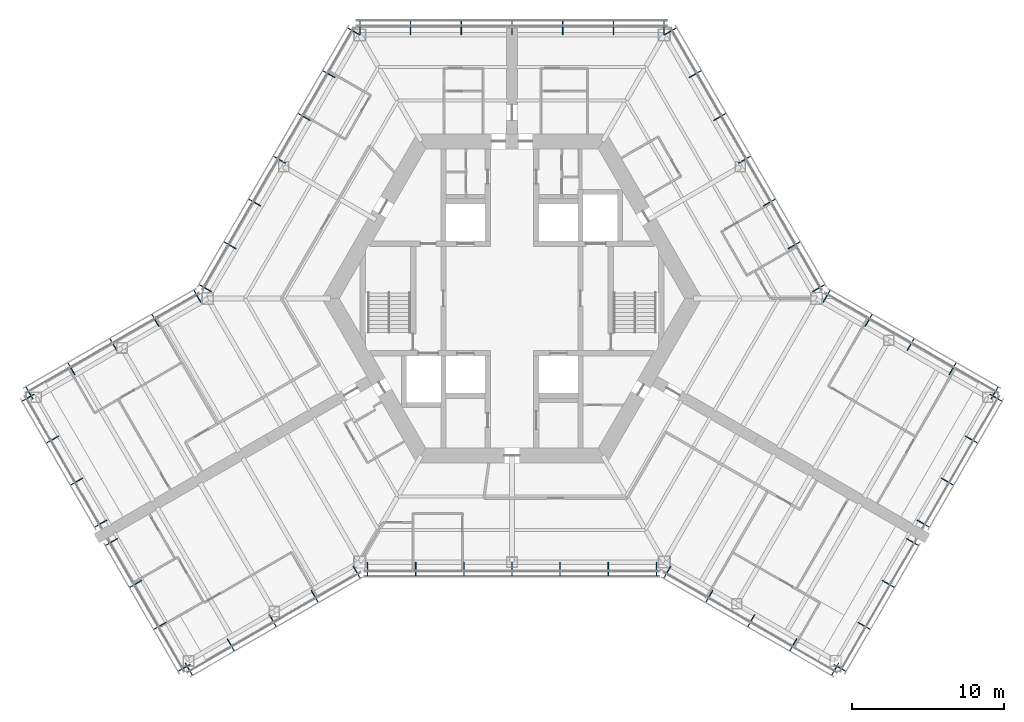
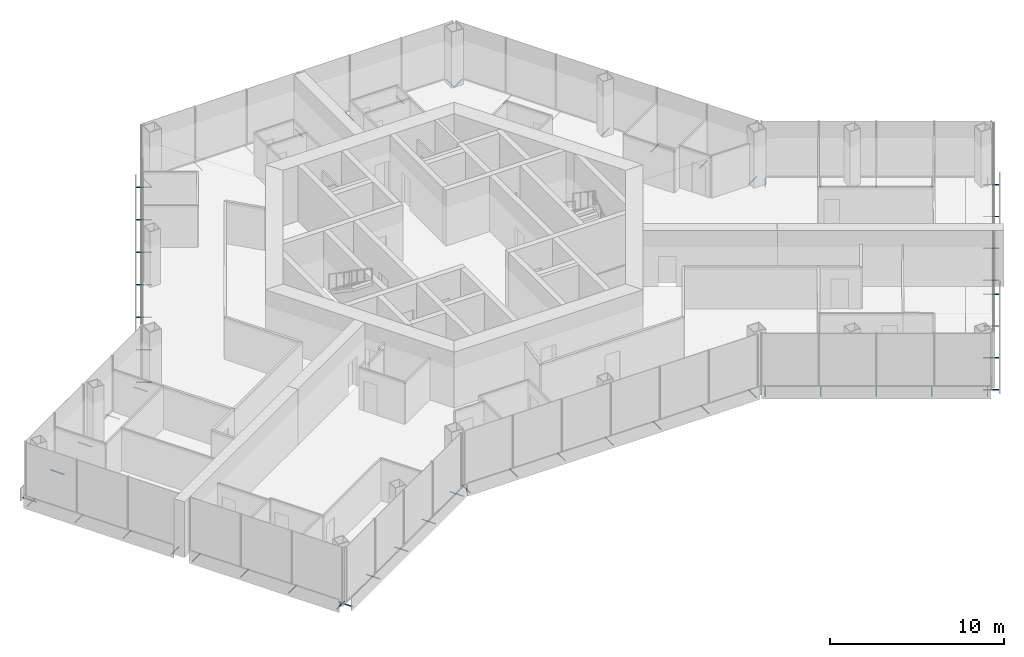
# One storey, part 16 of 18: 64 discrete accessories.
"""IFC4 building model written with IfcOpenShell, lengths in metres."""

from ifc_helpers import new_model, si_unit, direction, frame, origin, origin_2d, place, context, subcontext, project, spatial, hollow_circle, extrude, material, material_profile, profile_set, type_object, element, save


model = new_model("IFC4")

# Units and contexts
model_context = context("Model", 3, precision=1e-05, world=origin(), true_north=direction((0.0, 1.0)))
body_context = subcontext(model_context, "Body", "Model", "MODEL_VIEW")
ifc_project = project(units=[si_unit("LENGTHUNIT", "METRE"), si_unit("AREAUNIT", "SQUARE_METRE"), si_unit("VOLUMEUNIT", "CUBIC_METRE"), si_unit("PLANEANGLEUNIT", "RADIAN"), si_unit("MASSUNIT", "GRAM", prefix="KILO")], contexts=[model_context])

# Site, building, storey
site_placement = place(None, origin())
site = spatial("IfcSite", under=ifc_project, at=site_placement, CompositionType="ELEMENT")
building_placement = place(site_placement, origin())
building = spatial("IfcBuilding", under=site, at=building_placement, Name="Kasaneha Research Tower", CompositionType="ELEMENT")
storey_placement = place(building_placement, frame((0.0, 0.0, 195.5)))
storey = spatial("IfcBuildingStorey", under=building, at=storey_placement, Name="L49", CompositionType="ELEMENT", Elevation=195.5)

# Discrete accessories
ifc_material = material(Name="Steel STK400", Category="steel")
ifc_material_profile = material_profile(ifc_material, hollow_circle(Radius=0.0380859375, WallThickness=0.00390625, at=origin_2d()), Name="CHS-76.3x4.0")
ifc_profile_set = profile_set([ifc_material_profile], Name="Steel STK400")
discrete_accessory_type = type_object("IfcDiscreteAccessoryType", Name="Screen bracket CHS-76.3x4.0", PredefinedType="BRACKET", material=ifc_profile_set)
for number, where, z_axis, x_axis, name in (
    (1, (-9.4892578125, -17.320556640625, -0.300048828125), (0.0, -1.0, 0.0), (1.0, 0.0, 0.0), "Screen bracket 1"),
    (2, (-6.326171875, -17.320556640625, -0.300048828125), (0.0, -1.0, 0.0), (1.0, 0.0, 0.0), "Screen bracket 2"),
    (3, (-3.1630859375, -17.320556640625, -0.300048828125), (0.0, -1.0, 0.0), (1.0, 0.0, 0.0), "Screen bracket 3"),
    (4, (0.0, -17.320556640625, -0.300048828125), (0.0, -1.0, 0.0), (1.0, 0.0, 0.0), "Screen bracket 4"),
    (5, (3.1630859375, -17.320556640625, -0.300048828125), (0.0, -1.0, 0.0), (1.0, 0.0, 0.0), "Screen bracket 5"),
    (6, (6.326171875, -17.320556640625, -0.300048828125), (0.0, -1.0, 0.0), (1.0, 0.0, 0.0), "Screen bracket 6"),
    (7, (9.4892578125, -17.320556640625, -0.300048828125), (0.0, -1.0, 0.0), (1.0, 0.0, 0.0), "Screen bracket 7"),
    (8, (10.4423828125, -17.575927734375, -0.300048828125), (-0.500021113727, -0.866013213425, 0.0), (0.866013213425, -0.500021113727, 0.0), "Screen bracket 1"),
):
    element("IfcDiscreteAccessory", number, at=place(storey_placement, frame(where, z_axis=z_axis, x_axis=x_axis)), inside=storey, type_object=discrete_accessory_type, Name=name, PredefinedType="BRACKET", context=body_context, shape_type="SweptSolid", body=[
        extrude(hollow_circle(Radius=0.0380859375, WallThickness=0.00390625, at=origin_2d()), origin(), (0.0, 0.0, 1.0), 0.919921875),
    ])
discrete_accessory_1_placement = place(storey_placement, frame((13.200439453125, -19.168212890625, -0.300048828125), z_axis=(-0.499906209203, -0.866079547155, 0.0), x_axis=(0.866079547155, -0.499906209203, 0.0)))
element("IfcDiscreteAccessory", 9, at=discrete_accessory_1_placement, inside=storey, type_object=discrete_accessory_type, Name="Screen bracket 2", PredefinedType="BRACKET", context=body_context, shape_type="SweptSolid", body=[
    extrude(hollow_circle(Radius=0.0380859375, WallThickness=0.00390625, at=origin_2d()), origin(), (0.0, 0.0, 1.0), 0.920166015625),
])
discrete_accessory_2_placement = place(storey_placement, frame((15.95849609375, -20.7607421875, -0.300048828125), z_axis=(-0.500021113727, -0.866013213425, 0.0), x_axis=(0.866013213425, -0.500021113727, 0.0)))
element("IfcDiscreteAccessory", 10, at=discrete_accessory_2_placement, inside=storey, type_object=discrete_accessory_type, Name="Screen bracket 3", PredefinedType="BRACKET", context=body_context, shape_type="SweptSolid", body=[
    extrude(hollow_circle(Radius=0.0380859375, WallThickness=0.00390625, at=origin_2d()), origin(), (0.0, 0.0, 1.0), 0.919921875),
])
discrete_accessory_3_placement = place(storey_placement, frame((18.716796875, -22.35302734375, -0.300048828125), z_axis=(-0.500105201737, -0.865964657013, 0.0), x_axis=(0.865964657013, -0.500105201737, 0.0)))
element("IfcDiscreteAccessory", 11, at=discrete_accessory_3_placement, inside=storey, type_object=discrete_accessory_type, Name="Screen bracket 4", PredefinedType="BRACKET", context=body_context, shape_type="SweptSolid", body=[
    extrude(hollow_circle(Radius=0.0380859375, WallThickness=0.00390625, at=origin_2d()), origin(), (0.0, 0.0, 1.0), 0.920166015625),
])
discrete_accessory_4_placement = place(storey_placement, frame((21.474853515625, -23.945556640625, -0.300048828125), z_axis=(-0.500021113727, -0.866013213425, 0.0), x_axis=(0.866013213425, -0.500021113727, 0.0)))
element("IfcDiscreteAccessory", 12, at=discrete_accessory_4_placement, inside=storey, type_object=discrete_accessory_type, Name="Screen bracket 5", PredefinedType="BRACKET", context=body_context, shape_type="SweptSolid", body=[
    extrude(hollow_circle(Radius=0.0380859375, WallThickness=0.00390625, at=origin_2d()), origin(), (0.0, 0.0, 1.0), 0.919921875),
])
discrete_accessory_5_placement = place(storey_placement, frame((21.13330078125, -24.037109375, -0.300048828125), z_axis=(0.866079547155, -0.499906209203, 0.0), x_axis=(0.499906209203, 0.866079547155, 0.0)))
element("IfcDiscreteAccessory", 13, at=discrete_accessory_5_placement, inside=storey, type_object=discrete_accessory_type, Name="Screen bracket 1", PredefinedType="BRACKET", context=body_context, shape_type="SweptSolid", body=[
    extrude(hollow_circle(Radius=0.0380859375, WallThickness=0.00390625, at=origin_2d()), origin(), (0.0, 0.0, 1.0), 0.920166015625),
])
discrete_accessory_6_placement = place(storey_placement, frame((22.72509765625, -21.2802734375, -0.300048828125), z_axis=(0.866013213425, -0.500021113727, 0.0), x_axis=(0.500021113727, 0.866013213425, 0.0)))
element("IfcDiscreteAccessory", 14, at=discrete_accessory_6_placement, inside=storey, type_object=discrete_accessory_type, Name="Screen bracket 2", PredefinedType="BRACKET", context=body_context, shape_type="SweptSolid", body=[
    extrude(hollow_circle(Radius=0.0380859375, WallThickness=0.00390625, at=origin_2d()), origin(), (0.0, 0.0, 1.0), 0.919921875),
])
discrete_accessory_7_placement = place(storey_placement, frame((24.316650390625, -18.5234375, -0.300048828125), z_axis=(0.866079547155, -0.499906209203, 0.0), x_axis=(0.499906209203, 0.866079547155, 0.0)))
element("IfcDiscreteAccessory", 15, at=discrete_accessory_7_placement, inside=storey, type_object=discrete_accessory_type, Name="Screen bracket 3", PredefinedType="BRACKET", context=body_context, shape_type="SweptSolid", body=[
    extrude(hollow_circle(Radius=0.0380859375, WallThickness=0.00390625, at=origin_2d()), origin(), (0.0, 0.0, 1.0), 0.920166015625),
])
for number, where, z_axis, x_axis, name in (
    (16, (25.908447265625, -15.766357421875, -0.300048828125), (0.865898279276, -0.500220121494, 0.0), (0.500220121494, 0.865898279276, 0.0), "Screen bracket 4"),
    (17, (26.6083984375, -14.553955078125, -0.300048828125), (0.866013213425, -0.500021113727, 0.0), (0.500021113727, 0.866013213425, 0.0), "Screen bracket 1"),
):
    element("IfcDiscreteAccessory", number, at=place(storey_placement, frame(where, z_axis=z_axis, x_axis=x_axis)), inside=storey, type_object=discrete_accessory_type, Name=name, PredefinedType="BRACKET", context=body_context, shape_type="SweptSolid", body=[
        extrude(hollow_circle(Radius=0.0380859375, WallThickness=0.00390625, at=origin_2d()), origin(), (0.0, 0.0, 1.0), 0.919921875),
    ])
discrete_accessory_8_placement = place(storey_placement, frame((28.199951171875, -11.797119140625, -0.300048828125), z_axis=(0.866079547155, -0.499906209203, 0.0), x_axis=(0.499906209203, 0.866079547155, 0.0)))
element("IfcDiscreteAccessory", 18, at=discrete_accessory_8_placement, inside=storey, type_object=discrete_accessory_type, Name="Screen bracket 2", PredefinedType="BRACKET", context=body_context, shape_type="SweptSolid", body=[
    extrude(hollow_circle(Radius=0.0380859375, WallThickness=0.00390625, at=origin_2d()), origin(), (0.0, 0.0, 1.0), 0.920166015625),
])
discrete_accessory_9_placement = place(storey_placement, frame((29.791748046875, -9.040283203125, -0.300048828125), z_axis=(0.866013213425, -0.500021113727, 0.0), x_axis=(0.500021113727, 0.866013213425, 0.0)))
element("IfcDiscreteAccessory", 19, at=discrete_accessory_9_placement, inside=storey, type_object=discrete_accessory_type, Name="Screen bracket 3", PredefinedType="BRACKET", context=body_context, shape_type="SweptSolid", body=[
    extrude(hollow_circle(Radius=0.0380859375, WallThickness=0.00390625, at=origin_2d()), origin(), (0.0, 0.0, 1.0), 0.919921875),
])
discrete_accessory_10_placement = place(storey_placement, frame((31.38330078125, -6.283447265625, -0.300048828125), z_axis=(0.866079547155, -0.499906209203, 0.0), x_axis=(0.499906209203, 0.866079547155, 0.0)))
element("IfcDiscreteAccessory", 20, at=discrete_accessory_10_placement, inside=storey, type_object=discrete_accessory_type, Name="Screen bracket 4", PredefinedType="BRACKET", context=body_context, shape_type="SweptSolid", body=[
    extrude(hollow_circle(Radius=0.0380859375, WallThickness=0.00390625, at=origin_2d()), origin(), (0.0, 0.0, 1.0), 0.920166015625),
])
discrete_accessory_11_placement = place(storey_placement, frame((31.474853515625, -6.625, -0.300048828125), z_axis=(0.500021113727, 0.866013213425, 0.0), x_axis=(-0.866013213425, 0.500021113727, 0.0)))
element("IfcDiscreteAccessory", 21, at=discrete_accessory_11_placement, inside=storey, type_object=discrete_accessory_type, Name="Screen bracket 1", PredefinedType="BRACKET", context=body_context, shape_type="SweptSolid", body=[
    extrude(hollow_circle(Radius=0.0380859375, WallThickness=0.00390625, at=origin_2d()), origin(), (0.0, 0.0, 1.0), 0.919921875),
])
discrete_accessory_12_placement = place(storey_placement, frame((28.716796875, -5.03271484375, -0.300048828125), z_axis=(0.499906209203, 0.866079547155, 0.0), x_axis=(-0.866079547155, 0.499906209203, 0.0)))
element("IfcDiscreteAccessory", 22, at=discrete_accessory_12_placement, inside=storey, type_object=discrete_accessory_type, Name="Screen bracket 2", PredefinedType="BRACKET", context=body_context, shape_type="SweptSolid", body=[
    extrude(hollow_circle(Radius=0.0380859375, WallThickness=0.00390625, at=origin_2d()), origin(), (0.0, 0.0, 1.0), 0.920166015625),
])
discrete_accessory_13_placement = place(storey_placement, frame((25.95849609375, -3.440185546875, -0.300048828125), z_axis=(0.500220121494, 0.865898279276, 0.0), x_axis=(-0.865898279276, 0.500220121494, 0.0)))
element("IfcDiscreteAccessory", 23, at=discrete_accessory_13_placement, inside=storey, type_object=discrete_accessory_type, Name="Screen bracket 3", PredefinedType="BRACKET", context=body_context, shape_type="SweptSolid", body=[
    extrude(hollow_circle(Radius=0.0380859375, WallThickness=0.00390625, at=origin_2d()), origin(), (0.0, 0.0, 1.0), 0.919921875),
])
discrete_accessory_14_placement = place(storey_placement, frame((23.200439453125, -1.847900390625, -0.300048828125), z_axis=(0.499906209203, 0.866079547155, 0.0), x_axis=(-0.866079547155, 0.499906209203, 0.0)))
element("IfcDiscreteAccessory", 24, at=discrete_accessory_14_placement, inside=storey, type_object=discrete_accessory_type, Name="Screen bracket 4", PredefinedType="BRACKET", context=body_context, shape_type="SweptSolid", body=[
    extrude(hollow_circle(Radius=0.0380859375, WallThickness=0.00390625, at=origin_2d()), origin(), (0.0, 0.0, 1.0), 0.920166015625),
])
for number, where, z_axis, x_axis, name in (
    (25, (20.4423828125, -0.25537109375, -0.300048828125), (0.500021113727, 0.866013213425, 0.0), (-0.866013213425, 0.500021113727, 0.0), "Screen bracket 5"),
    (26, (19.74462890625, 0.4423828125, -0.300048828125), (0.866013213425, 0.500021113727, 0.0), (-0.500021113727, 0.866013213425, 0.0), "Screen bracket 1"),
    (27, (18.120849609375, 3.2548828125, -0.300048828125), (0.866013213425, 0.500021113727, 0.0), (-0.500021113727, 0.866013213425, 0.0), "Screen bracket 2"),
    (28, (16.4970703125, 6.0673828125, -0.300048828125), (0.866013213425, 0.500021113727, 0.0), (-0.500021113727, 0.866013213425, 0.0), "Screen bracket 3"),
    (29, (14.873291015625, 8.8798828125, -0.300048828125), (0.866013213425, 0.500021113727, 0.0), (-0.500021113727, 0.866013213425, 0.0), "Screen bracket 4"),
    (30, (13.24951171875, 11.6923828125, -0.300048828125), (0.866013213425, 0.500021113727, 0.0), (-0.500021113727, 0.866013213425, 0.0), "Screen bracket 5"),
):
    element("IfcDiscreteAccessory", number, at=place(storey_placement, frame(where, z_axis=z_axis, x_axis=x_axis)), inside=storey, type_object=discrete_accessory_type, Name=name, PredefinedType="BRACKET", context=body_context, shape_type="SweptSolid", body=[
        extrude(hollow_circle(Radius=0.0380859375, WallThickness=0.00390625, at=origin_2d()), origin(), (0.0, 0.0, 1.0), 0.919921875),
    ])
for number, where, z_axis, x_axis, name in (
    (31, (11.62548828125, 14.5048828125, -0.300048828125), (0.866079547155, 0.499906209203, 0.0), (-0.499906209203, 0.866079547155, 0.0), "Screen bracket 6"),
    (32, (10.001708984375, 17.3173828125, -0.300048828125), (0.866079547155, 0.499906209203, 0.0), (-0.499906209203, 0.866079547155, 0.0), "Screen bracket 7"),
):
    element("IfcDiscreteAccessory", number, at=place(storey_placement, frame(where, z_axis=z_axis, x_axis=x_axis)), inside=storey, type_object=discrete_accessory_type, Name=name, PredefinedType="BRACKET", context=body_context, shape_type="SweptSolid", body=[
        extrude(hollow_circle(Radius=0.0380859375, WallThickness=0.00390625, at=origin_2d()), origin(), (0.0, 0.0, 1.0), 0.920166015625),
    ])
for number, where, z_axis, x_axis, name in (
    (33, (9.996337890625, 17.320556640625, -0.300048828125), (0.0, 1.0, 0.0), (-1.0, 0.0, 0.0), "Screen bracket 1"),
    (34, (6.664306640625, 17.320556640625, -0.300048828125), (0.0, 1.0, 0.0), (-1.0, 0.0, 0.0), "Screen bracket 2"),
    (35, (3.33203125, 17.320556640625, -0.300048828125), (0.0, 1.0, 0.0), (-1.0, 0.0, 0.0), "Screen bracket 3"),
    (36, (0.0, 17.320556640625, -0.300048828125), (0.0, 1.0, 0.0), (-1.0, 0.0, 0.0), "Screen bracket 4"),
    (37, (-3.33203125, 17.320556640625, -0.300048828125), (0.0, 1.0, 0.0), (-1.0, 0.0, 0.0), "Screen bracket 5"),
    (38, (-6.664306640625, 17.320556640625, -0.300048828125), (0.0, 1.0, 0.0), (-1.0, 0.0, 0.0), "Screen bracket 6"),
    (39, (-9.996337890625, 17.320556640625, -0.300048828125), (0.0, 1.0, 0.0), (-1.0, 0.0, 0.0), "Screen bracket 7"),
):
    element("IfcDiscreteAccessory", number, at=place(storey_placement, frame(where, z_axis=z_axis, x_axis=x_axis)), inside=storey, type_object=discrete_accessory_type, Name=name, PredefinedType="BRACKET", context=body_context, shape_type="SweptSolid", body=[
        extrude(hollow_circle(Radius=0.0380859375, WallThickness=0.00390625, at=origin_2d()), origin(), (0.0, 0.0, 1.0), 0.919921875),
    ])
for number, where, z_axis, x_axis, name in (
    (40, (-10.001708984375, 17.3173828125, -0.300048828125), (-0.866079547155, 0.499906209203, 0.0), (-0.499906209203, -0.866079547155, 0.0), "Screen bracket 1"),
    (41, (-11.62548828125, 14.5048828125, -0.300048828125), (-0.866079547155, 0.499906209203, 0.0), (-0.499906209203, -0.866079547155, 0.0), "Screen bracket 2"),
):
    element("IfcDiscreteAccessory", number, at=place(storey_placement, frame(where, z_axis=z_axis, x_axis=x_axis)), inside=storey, type_object=discrete_accessory_type, Name=name, PredefinedType="BRACKET", context=body_context, shape_type="SweptSolid", body=[
        extrude(hollow_circle(Radius=0.0380859375, WallThickness=0.00390625, at=origin_2d()), origin(), (0.0, 0.0, 1.0), 0.920166015625),
    ])
for number, where, z_axis, x_axis, name in (
    (42, (-13.24951171875, 11.6923828125, -0.300048828125), (-0.866013213425, 0.500021113727, 0.0), (-0.500021113727, -0.866013213425, 0.0), "Screen bracket 3"),
    (43, (-14.873291015625, 8.8798828125, -0.300048828125), (-0.866013213425, 0.500021113727, 0.0), (-0.500021113727, -0.866013213425, 0.0), "Screen bracket 4"),
    (44, (-16.4970703125, 6.0673828125, -0.300048828125), (-0.866013213425, 0.500021113727, 0.0), (-0.500021113727, -0.866013213425, 0.0), "Screen bracket 5"),
    (45, (-18.120849609375, 3.2548828125, -0.300048828125), (-0.866013213425, 0.500021113727, 0.0), (-0.500021113727, -0.866013213425, 0.0), "Screen bracket 6"),
    (46, (-19.74462890625, 0.4423828125, -0.300048828125), (-0.866013213425, 0.500021113727, 0.0), (-0.500021113727, -0.866013213425, 0.0), "Screen bracket 7"),
    (47, (-20.4423828125, -0.25537109375, -0.300048828125), (-0.500021113727, 0.866013213425, 0.0), (-0.866013213425, -0.500021113727, 0.0), "Screen bracket 1"),
):
    element("IfcDiscreteAccessory", number, at=place(storey_placement, frame(where, z_axis=z_axis, x_axis=x_axis)), inside=storey, type_object=discrete_accessory_type, Name=name, PredefinedType="BRACKET", context=body_context, shape_type="SweptSolid", body=[
        extrude(hollow_circle(Radius=0.0380859375, WallThickness=0.00390625, at=origin_2d()), origin(), (0.0, 0.0, 1.0), 0.919921875),
    ])
discrete_accessory_15_placement = place(storey_placement, frame((-23.200439453125, -1.847900390625, -0.300048828125), z_axis=(-0.499906209203, 0.866079547155, 0.0), x_axis=(-0.866079547155, -0.499906209203, 0.0)))
element("IfcDiscreteAccessory", 48, at=discrete_accessory_15_placement, inside=storey, type_object=discrete_accessory_type, Name="Screen bracket 2", PredefinedType="BRACKET", context=body_context, shape_type="SweptSolid", body=[
    extrude(hollow_circle(Radius=0.0380859375, WallThickness=0.00390625, at=origin_2d()), origin(), (0.0, 0.0, 1.0), 0.920166015625),
])
discrete_accessory_16_placement = place(storey_placement, frame((-25.95849609375, -3.440185546875, -0.300048828125), z_axis=(-0.500220121494, 0.865898279276, 0.0), x_axis=(-0.865898279276, -0.500220121494, 0.0)))
element("IfcDiscreteAccessory", 49, at=discrete_accessory_16_placement, inside=storey, type_object=discrete_accessory_type, Name="Screen bracket 3", PredefinedType="BRACKET", context=body_context, shape_type="SweptSolid", body=[
    extrude(hollow_circle(Radius=0.0380859375, WallThickness=0.00390625, at=origin_2d()), origin(), (0.0, 0.0, 1.0), 0.919921875),
])
discrete_accessory_17_placement = place(storey_placement, frame((-28.716796875, -5.03271484375, -0.300048828125), z_axis=(-0.499906209203, 0.866079547155, 0.0), x_axis=(-0.866079547155, -0.499906209203, 0.0)))
element("IfcDiscreteAccessory", 50, at=discrete_accessory_17_placement, inside=storey, type_object=discrete_accessory_type, Name="Screen bracket 4", PredefinedType="BRACKET", context=body_context, shape_type="SweptSolid", body=[
    extrude(hollow_circle(Radius=0.0380859375, WallThickness=0.00390625, at=origin_2d()), origin(), (0.0, 0.0, 1.0), 0.920166015625),
])
discrete_accessory_18_placement = place(storey_placement, frame((-31.474853515625, -6.625, -0.300048828125), z_axis=(-0.500021113727, 0.866013213425, 0.0), x_axis=(-0.866013213425, -0.500021113727, 0.0)))
element("IfcDiscreteAccessory", 51, at=discrete_accessory_18_placement, inside=storey, type_object=discrete_accessory_type, Name="Screen bracket 5", PredefinedType="BRACKET", context=body_context, shape_type="SweptSolid", body=[
    extrude(hollow_circle(Radius=0.0380859375, WallThickness=0.00390625, at=origin_2d()), origin(), (0.0, 0.0, 1.0), 0.919921875),
])
discrete_accessory_19_placement = place(storey_placement, frame((-31.38330078125, -6.283447265625, -0.300048828125), z_axis=(-0.866079547155, -0.499906209203, 0.0), x_axis=(0.499906209203, -0.866079547155, 0.0)))
element("IfcDiscreteAccessory", 52, at=discrete_accessory_19_placement, inside=storey, type_object=discrete_accessory_type, Name="Screen bracket 1", PredefinedType="BRACKET", context=body_context, shape_type="SweptSolid", body=[
    extrude(hollow_circle(Radius=0.0380859375, WallThickness=0.00390625, at=origin_2d()), origin(), (0.0, 0.0, 1.0), 0.920166015625),
])
discrete_accessory_20_placement = place(storey_placement, frame((-29.791748046875, -9.040283203125, -0.300048828125), z_axis=(-0.866013213425, -0.500021113727, 0.0), x_axis=(0.500021113727, -0.866013213425, 0.0)))
element("IfcDiscreteAccessory", 53, at=discrete_accessory_20_placement, inside=storey, type_object=discrete_accessory_type, Name="Screen bracket 2", PredefinedType="BRACKET", context=body_context, shape_type="SweptSolid", body=[
    extrude(hollow_circle(Radius=0.0380859375, WallThickness=0.00390625, at=origin_2d()), origin(), (0.0, 0.0, 1.0), 0.919921875),
])
discrete_accessory_21_placement = place(storey_placement, frame((-28.199951171875, -11.797119140625, -0.300048828125), z_axis=(-0.866079547155, -0.499906209203, 0.0), x_axis=(0.499906209203, -0.866079547155, 0.0)))
element("IfcDiscreteAccessory", 54, at=discrete_accessory_21_placement, inside=storey, type_object=discrete_accessory_type, Name="Screen bracket 3", PredefinedType="BRACKET", context=body_context, shape_type="SweptSolid", body=[
    extrude(hollow_circle(Radius=0.0380859375, WallThickness=0.00390625, at=origin_2d()), origin(), (0.0, 0.0, 1.0), 0.920166015625),
])
for number, where, z_axis, x_axis, name in (
    (55, (-26.6083984375, -14.553955078125, -0.300048828125), (-0.866013213425, -0.500021113727, 0.0), (0.500021113727, -0.866013213425, 0.0), "Screen bracket 4"),
    (56, (-25.908447265625, -15.766357421875, -0.300048828125), (-0.865898279276, -0.500220121494, 0.0), (0.500220121494, -0.865898279276, 0.0), "Screen bracket 1"),
):
    element("IfcDiscreteAccessory", number, at=place(storey_placement, frame(where, z_axis=z_axis, x_axis=x_axis)), inside=storey, type_object=discrete_accessory_type, Name=name, PredefinedType="BRACKET", context=body_context, shape_type="SweptSolid", body=[
        extrude(hollow_circle(Radius=0.0380859375, WallThickness=0.00390625, at=origin_2d()), origin(), (0.0, 0.0, 1.0), 0.919921875),
    ])
discrete_accessory_22_placement = place(storey_placement, frame((-24.316650390625, -18.5234375, -0.300048828125), z_axis=(-0.866079547155, -0.499906209203, 0.0), x_axis=(0.499906209203, -0.866079547155, 0.0)))
element("IfcDiscreteAccessory", 57, at=discrete_accessory_22_placement, inside=storey, type_object=discrete_accessory_type, Name="Screen bracket 2", PredefinedType="BRACKET", context=body_context, shape_type="SweptSolid", body=[
    extrude(hollow_circle(Radius=0.0380859375, WallThickness=0.00390625, at=origin_2d()), origin(), (0.0, 0.0, 1.0), 0.920166015625),
])
discrete_accessory_23_placement = place(storey_placement, frame((-22.72509765625, -21.2802734375, -0.300048828125), z_axis=(-0.866013213425, -0.500021113727, 0.0), x_axis=(0.500021113727, -0.866013213425, 0.0)))
element("IfcDiscreteAccessory", 58, at=discrete_accessory_23_placement, inside=storey, type_object=discrete_accessory_type, Name="Screen bracket 3", PredefinedType="BRACKET", context=body_context, shape_type="SweptSolid", body=[
    extrude(hollow_circle(Radius=0.0380859375, WallThickness=0.00390625, at=origin_2d()), origin(), (0.0, 0.0, 1.0), 0.919921875),
])
discrete_accessory_24_placement = place(storey_placement, frame((-21.13330078125, -24.037109375, -0.300048828125), z_axis=(-0.866079547155, -0.499906209203, 0.0), x_axis=(0.499906209203, -0.866079547155, 0.0)))
element("IfcDiscreteAccessory", 59, at=discrete_accessory_24_placement, inside=storey, type_object=discrete_accessory_type, Name="Screen bracket 4", PredefinedType="BRACKET", context=body_context, shape_type="SweptSolid", body=[
    extrude(hollow_circle(Radius=0.0380859375, WallThickness=0.00390625, at=origin_2d()), origin(), (0.0, 0.0, 1.0), 0.920166015625),
])
discrete_accessory_25_placement = place(storey_placement, frame((-21.474853515625, -23.945556640625, -0.300048828125), z_axis=(0.500021113727, -0.866013213425, 0.0), x_axis=(0.866013213425, 0.500021113727, 0.0)))
element("IfcDiscreteAccessory", 60, at=discrete_accessory_25_placement, inside=storey, type_object=discrete_accessory_type, Name="Screen bracket 1", PredefinedType="BRACKET", context=body_context, shape_type="SweptSolid", body=[
    extrude(hollow_circle(Radius=0.0380859375, WallThickness=0.00390625, at=origin_2d()), origin(), (0.0, 0.0, 1.0), 0.919921875),
])
discrete_accessory_26_placement = place(storey_placement, frame((-18.716796875, -22.35302734375, -0.300048828125), z_axis=(0.500105201737, -0.865964657013, 0.0), x_axis=(0.865964657013, 0.500105201737, 0.0)))
element("IfcDiscreteAccessory", 61, at=discrete_accessory_26_placement, inside=storey, type_object=discrete_accessory_type, Name="Screen bracket 2", PredefinedType="BRACKET", context=body_context, shape_type="SweptSolid", body=[
    extrude(hollow_circle(Radius=0.0380859375, WallThickness=0.00390625, at=origin_2d()), origin(), (0.0, 0.0, 1.0), 0.920166015625),
])
discrete_accessory_27_placement = place(storey_placement, frame((-15.95849609375, -20.7607421875, -0.300048828125), z_axis=(0.500021113727, -0.866013213425, 0.0), x_axis=(0.866013213425, 0.500021113727, 0.0)))
element("IfcDiscreteAccessory", 62, at=discrete_accessory_27_placement, inside=storey, type_object=discrete_accessory_type, Name="Screen bracket 3", PredefinedType="BRACKET", context=body_context, shape_type="SweptSolid", body=[
    extrude(hollow_circle(Radius=0.0380859375, WallThickness=0.00390625, at=origin_2d()), origin(), (0.0, 0.0, 1.0), 0.919921875),
])
discrete_accessory_28_placement = place(storey_placement, frame((-13.200439453125, -19.168212890625, -0.300048828125), z_axis=(0.499906209203, -0.866079547155, 0.0), x_axis=(0.866079547155, 0.499906209203, 0.0)))
element("IfcDiscreteAccessory", 63, at=discrete_accessory_28_placement, inside=storey, type_object=discrete_accessory_type, Name="Screen bracket 4", PredefinedType="BRACKET", context=body_context, shape_type="SweptSolid", body=[
    extrude(hollow_circle(Radius=0.0380859375, WallThickness=0.00390625, at=origin_2d()), origin(), (0.0, 0.0, 1.0), 0.920166015625),
])
discrete_accessory_29_placement = place(storey_placement, frame((-10.4423828125, -17.575927734375, -0.300048828125), z_axis=(0.500021113727, -0.866013213425, 0.0), x_axis=(0.866013213425, 0.500021113727, 0.0)))
element("IfcDiscreteAccessory", 64, at=discrete_accessory_29_placement, inside=storey, type_object=discrete_accessory_type, Name="Screen bracket 5", PredefinedType="BRACKET", context=body_context, shape_type="SweptSolid", body=[
    extrude(hollow_circle(Radius=0.0380859375, WallThickness=0.00390625, at=origin_2d()), origin(), (0.0, 0.0, 1.0), 0.919921875),
])

save(model, "model.ifc")
